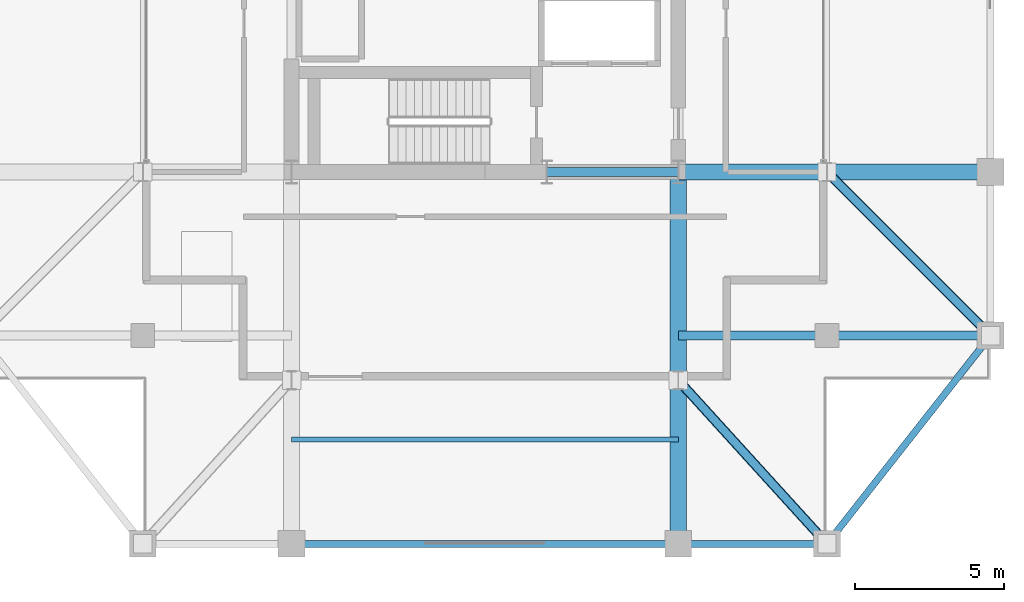
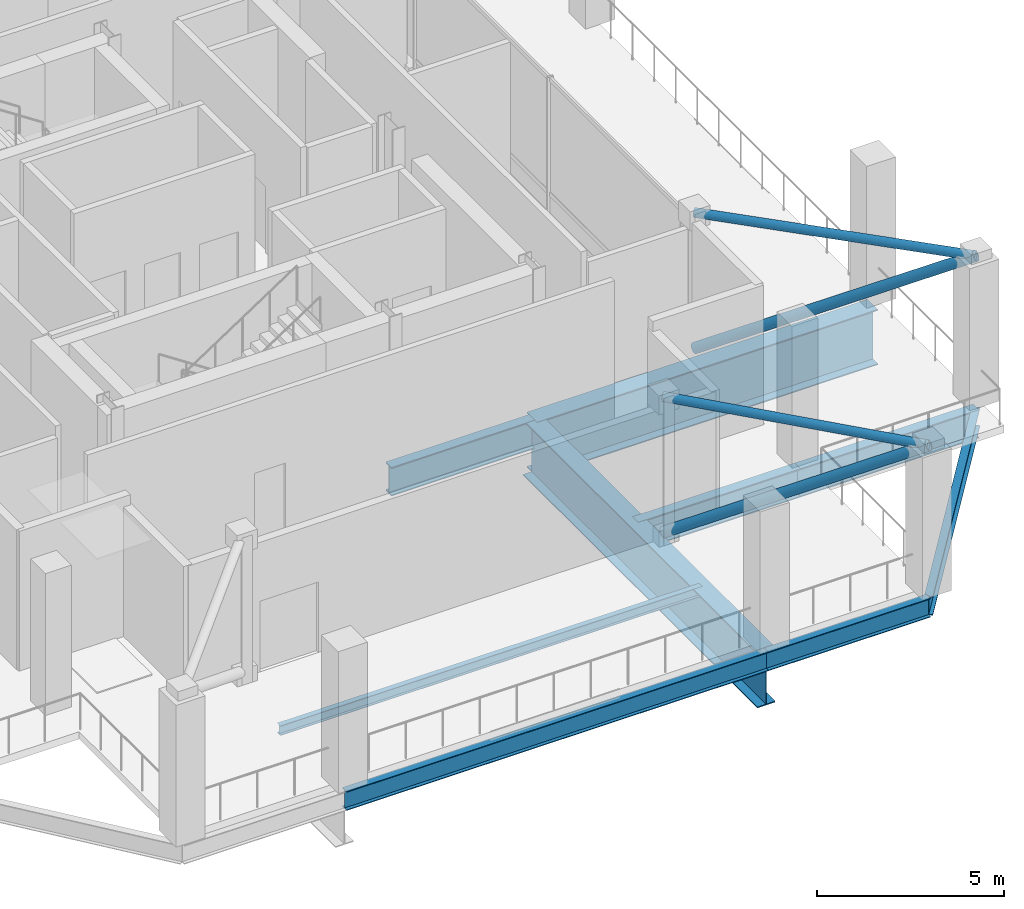
# One storey, part 3 of 17: 9 beams, 4 members.
"""IFC4 building model written with IfcOpenShell, lengths in metres."""

from ifc_helpers import new_model, si_unit, direction, frame, origin, origin_2d, place, context, subcontext, project, spatial, hollow_circle, i_section, extrude, material, material_profile, profile_set, type_object, element, save


model = new_model("IFC4")

# Units and contexts
model_context = context("Model", 3, precision=1e-05, world=origin(), true_north=direction((0.0, 1.0)))
body_context = subcontext(model_context, "Body", "Model", "MODEL_VIEW")
ifc_project = project(units=[si_unit("LENGTHUNIT", "METRE"), si_unit("AREAUNIT", "SQUARE_METRE"), si_unit("VOLUMEUNIT", "CUBIC_METRE"), si_unit("PLANEANGLEUNIT", "RADIAN"), si_unit("MASSUNIT", "GRAM", prefix="KILO")], contexts=[model_context])

# Site, building, storey
site_placement = place(None, origin())
site = spatial("IfcSite", under=ifc_project, at=site_placement, CompositionType="ELEMENT")
building_placement = place(site_placement, origin())
building = spatial("IfcBuilding", under=site, at=building_placement, Name="Barlavira Tower and Art Museum", CompositionType="ELEMENT")
storey_placement = place(building_placement, frame((0.0, 0.0, 305.10009765625)))
storey = spatial("IfcBuildingStorey", under=building, at=storey_placement, Name="L80", CompositionType="ELEMENT", Elevation=305.10009765625)

# Beam
ifc_material = material(Name="Steel S355", Category="steel")
ifc_material_profile_1 = material_profile(ifc_material, i_section(OverallWidth=0.1669921875, OverallDepth=0.31689453125, WebThickness=0.007568359375, FlangeThickness=0.01318359375, at=origin_2d()), Name="W310x52.0")
ifc_profile_set_1 = profile_set([ifc_material_profile_1], Name="Steel S355")
beam_type_1 = type_object("IfcBeamType", Name="Crown Floor Joist W310x52 Steel S355", PredefinedType="JOIST", material=ifc_profile_set_1)
beam_1_placement = place(storey_placement, frame((-6.5, -16.5, -0.45849609375), z_axis=(1.0, 0.0, 0.0), x_axis=(0.0, 1.0, 0.0)))
element("IfcBeam", 1, at=beam_1_placement, inside=storey, type_object=beam_type_1, Name="L80 Joist C1", PredefinedType="JOIST", context=body_context, shape_type="SweptSolid", body=[
    extrude(i_section(OverallWidth=0.1669921875, OverallDepth=0.31689453125, WebThickness=0.007568359375, FlangeThickness=0.01318359375, at=origin_2d()), origin(), (0.0, 0.0, 1.0), 13.0),
])

# Members
ifc_material_profile_2 = material_profile(ifc_material, hollow_circle(Radius=0.136474609375, WallThickness=0.012451171875, at=origin_2d()), Name="CHS 273.0x12.5")
ifc_profile_set_2 = profile_set([ifc_material_profile_2], Name="Steel S355")
member_type_1 = type_object("IfcMemberType", Name="Pale-Metal Canopy Tie Strut CHS 273x12.5 Steel S355", PredefinedType="STRUT", material=ifc_profile_set_2)
member_1_placement = place(storey_placement, frame((11.5, -7.5, 4.619873046875), z_axis=(0.707106781187, -0.707106781187, 0.0), x_axis=(0.707106781187, 0.707106781187, 0.0)))
element("IfcMember", 2, at=member_1_placement, inside=storey, type_object=member_type_1, Name="L80 Lookout Canopy Horizontal Tie 2", PredefinedType="STRUT", context=body_context, shape_type="SweptSolid", body=[
    extrude(hollow_circle(Radius=0.136474609375, WallThickness=0.012451171875, at=origin_2d()), origin(), (0.0, 0.0, 1.0), 7.778076171875),
])
member_2_placement = place(storey_placement, frame((6.5, -14.5, 4.619873046875), z_axis=(0.672672793996, -0.739940073396, 0.0), x_axis=(0.739940073396, 0.672672793996, 0.0)))
element("IfcMember", 3, at=member_2_placement, inside=storey, type_object=member_type_1, Name="L80 Lookout Canopy Horizontal Tie 6", PredefinedType="STRUT", context=body_context, shape_type="SweptSolid", body=[
    extrude(hollow_circle(Radius=0.136474609375, WallThickness=0.012451171875, at=origin_2d()), origin(), (0.0, 0.0, 1.0), 7.43310546875),
])
ifc_material_profile_3 = material_profile(ifc_material, hollow_circle(Radius=0.161865234375, WallThickness=0.01611328125, at=origin_2d()), Name="CHS 323.9x16.0")
ifc_profile_set_3 = profile_set([ifc_material_profile_3], Name="Steel S355")
member_type_2 = type_object("IfcMemberType", Name="Pale-Metal Crown Diagrid Tube CHS 324x16 Steel S355", PredefinedType="BRACE", material=ifc_profile_set_3)
member_3_placement = place(storey_placement, frame((11.5, -7.5, 0.199951171875), z_axis=(0.614781499952, -0.614781499952, 0.494052036361), x_axis=(0.707106781187, 0.707106781187, 0.0)))
element("IfcMember", 4, at=member_3_placement, inside=storey, type_object=member_type_2, Name="L80 Lookout Canopy Raking Strut 2", PredefinedType="BRACE", context=body_context, shape_type="SweptSolid", body=[
    extrude(hollow_circle(Radius=0.161865234375, WallThickness=0.01611328125, at=origin_2d()), origin(), (0.0, 0.0, 1.0), 8.9462890625),
])
member_4_placement = place(storey_placement, frame((6.5, -14.5, 0.199951171875), z_axis=(0.578176845865, -0.635994530451, 0.511099297731), x_axis=(0.739940073396, 0.672672793996, 0.0)))
element("IfcMember", 5, at=member_4_placement, inside=storey, type_object=member_type_2, Name="L80 Lookout Canopy Raking Strut 6", PredefinedType="BRACE", context=body_context, shape_type="SweptSolid", body=[
    extrude(hollow_circle(Radius=0.161865234375, WallThickness=0.01611328125, at=origin_2d()), origin(), (0.0, 0.0, 1.0), 8.64794921875),
])

# Beams
ifc_material_profile_4 = material_profile(ifc_material, i_section(OverallWidth=0.30908203125, OverallDepth=0.931884765625, WebThickness=0.01953125, FlangeThickness=0.034423828125, at=origin_2d()), Name="W920x313.0")
ifc_profile_set_4 = profile_set([ifc_material_profile_4], Name="Steel S355")
beam_type_2 = type_object("IfcBeamType", Name="Setback Ring Girder W920x313 Steel S355", PredefinedType="BEAM", material=ifc_profile_set_4)
beam_2_placement = place(storey_placement, frame((2.080078125, -7.5, -0.76611328125), z_axis=(1.0, 0.0, 0.0), x_axis=(0.0, 1.0, 0.0)))
element("IfcBeam", 6, at=beam_2_placement, inside=storey, type_object=beam_type_2, Name="L80 Girder C-S2", PredefinedType="BEAM", context=body_context, shape_type="SweptSolid", body=[
    extrude(i_section(OverallWidth=0.30908203125, OverallDepth=0.931884765625, WebThickness=0.01953125, FlangeThickness=0.034423828125, at=origin_2d()), origin(), (0.0, 0.0, 1.0), 4.419921875),
])
beam_3_placement = place(storey_placement, frame((6.5, -13.0, -0.76611328125), z_axis=(1.0, 0.0, 0.0), x_axis=(0.0, 1.0, 0.0)))
element("IfcBeam", 7, at=beam_3_placement, inside=storey, type_object=beam_type_2, Name="L80 Girder I-S3", PredefinedType="BEAM", context=body_context, shape_type="SweptSolid", body=[
    extrude(i_section(OverallWidth=0.30908203125, OverallDepth=0.931884765625, WebThickness=0.01953125, FlangeThickness=0.034423828125, at=origin_2d()), origin(), (0.0, 0.0, 1.0), 5.0),
])
beam_4_placement = place(storey_placement, frame((11.5, -13.0, -0.76611328125), z_axis=(1.0, 0.0, 0.0), x_axis=(0.0, 1.0, 0.0)))
element("IfcBeam", 8, at=beam_4_placement, inside=storey, type_object=beam_type_2, Name="L80 Girder I-S4", PredefinedType="BEAM", context=body_context, shape_type="SweptSolid", body=[
    extrude(i_section(OverallWidth=0.30908203125, OverallDepth=0.931884765625, WebThickness=0.01953125, FlangeThickness=0.034423828125, at=origin_2d()), origin(), (0.0, 0.0, 1.0), 5.5),
])
ifc_material_profile_5 = material_profile(ifc_material, i_section(OverallWidth=0.22998046875, OverallDepth=0.616943359375, WebThickness=0.01318359375, FlangeThickness=0.022216796875, at=origin_2d()), Name="W610x140.0")
ifc_profile_set_5 = profile_set([ifc_material_profile_5], Name="Steel S355")
beam_type_3 = type_object("IfcBeamType", Name="Upper Shaft Spandrel Edge Beam W610x140 Steel S355", PredefinedType="SPANDREL", material=ifc_profile_set_5)
beam_5_placement = place(storey_placement, frame((-6.5, -20.0, -0.608642578125), z_axis=(1.0, 0.0, 0.0), x_axis=(0.0, 1.0, 0.0)))
element("IfcBeam", 9, at=beam_5_placement, inside=storey, type_object=beam_type_3, Name="L80 Spandrel 2", PredefinedType="SPANDREL", context=body_context, shape_type="SweptSolid", body=[
    extrude(i_section(OverallWidth=0.22998046875, OverallDepth=0.616943359375, WebThickness=0.01318359375, FlangeThickness=0.022216796875, at=origin_2d()), origin(), (0.0, 0.0, 1.0), 13.0),
])
beam_6_placement = place(storey_placement, frame((6.5, -20.0, -0.608642578125), z_axis=(1.0, 0.0, 0.0), x_axis=(0.0, 1.0, 0.0)))
element("IfcBeam", 10, at=beam_6_placement, inside=storey, type_object=beam_type_3, Name="L80 Spandrel 3", PredefinedType="SPANDREL", context=body_context, shape_type="SweptSolid", body=[
    extrude(i_section(OverallWidth=0.22998046875, OverallDepth=0.616943359375, WebThickness=0.01318359375, FlangeThickness=0.022216796875, at=origin_2d()), origin(), (0.0, 0.0, 1.0), 5.0),
])
beam_7_placement = place(storey_placement, frame((11.5, -20.0, -0.608642578125), z_axis=(0.617821551932, 0.786318338822, 0.0), x_axis=(-0.786318338822, 0.617821551932, 0.0)))
element("IfcBeam", 11, at=beam_7_placement, inside=storey, type_object=beam_type_3, Name="L80 Spandrel 4", PredefinedType="SPANDREL", context=body_context, shape_type="SweptSolid", body=[
    extrude(i_section(OverallWidth=0.22998046875, OverallDepth=0.616943359375, WebThickness=0.01318359375, FlangeThickness=0.022216796875, at=origin_2d()), origin(), (0.0, 0.0, 1.0), 8.90234375),
])
ifc_material_profile_6 = material_profile(ifc_material, i_section(OverallWidth=0.550048828125, OverallDepth=1.800048828125, WebThickness=0.02587890625, FlangeThickness=0.033935546875, at=origin_2d()), Name="CVS1800x520")
ifc_profile_set_6 = profile_set([ifc_material_profile_6], Name="Steel S355")
beam_type_4 = type_object("IfcBeamType", Name="Zone Setback Transfer Girder CVS1800x520 Steel S355", PredefinedType="USERDEFINED", material=ifc_profile_set_6)
beam_8_placement = place(storey_placement, frame((6.5, -20.0, -1.2001953125), z_axis=(0.0, 1.0, 0.0), x_axis=(-1.0, 0.0, 0.0)))
element("IfcBeam", 12, at=beam_8_placement, inside=storey, type_object=beam_type_4, Name="L80 Crown Transfer Girder TG80-03", ObjectType="TRANSFER GIRDER", PredefinedType="USERDEFINED", context=body_context, shape_type="SweptSolid", body=[
    extrude(i_section(OverallWidth=0.550048828125, OverallDepth=1.800048828125, WebThickness=0.02587890625, FlangeThickness=0.033935546875, at=origin_2d()), origin(), (0.0, 0.0, 1.0), 12.5),
])
beam_9_placement = place(storey_placement, frame((6.5, -7.5, -1.2001953125), z_axis=(1.0, 0.0, 0.0), x_axis=(0.0, 1.0, 0.0)))
element("IfcBeam", 13, at=beam_9_placement, inside=storey, type_object=beam_type_4, Name="L80 Crown Transfer Girder TG80-10", ObjectType="TRANSFER GIRDER", PredefinedType="USERDEFINED", context=body_context, shape_type="SweptSolid", body=[
    extrude(i_section(OverallWidth=0.550048828125, OverallDepth=1.800048828125, WebThickness=0.02587890625, FlangeThickness=0.033935546875, at=origin_2d()), origin(), (0.0, 0.0, 1.0), 10.5),
])

save(model, "model.ifc")
